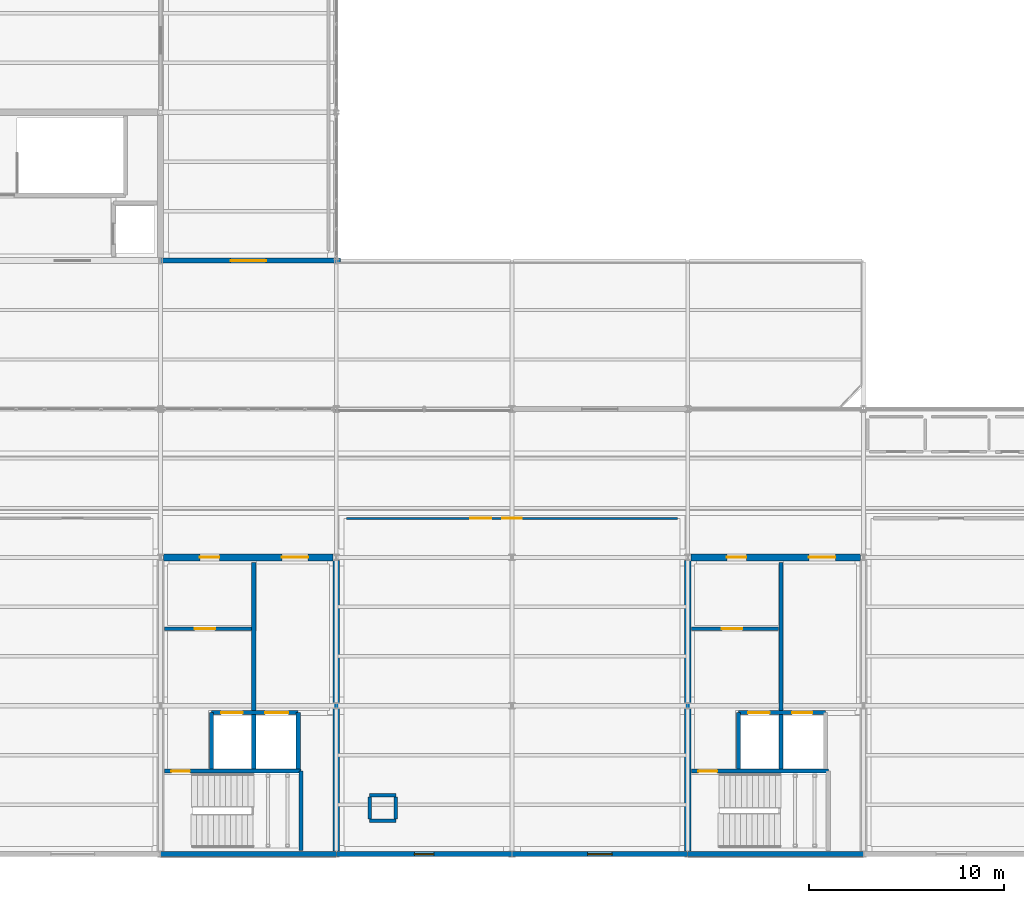
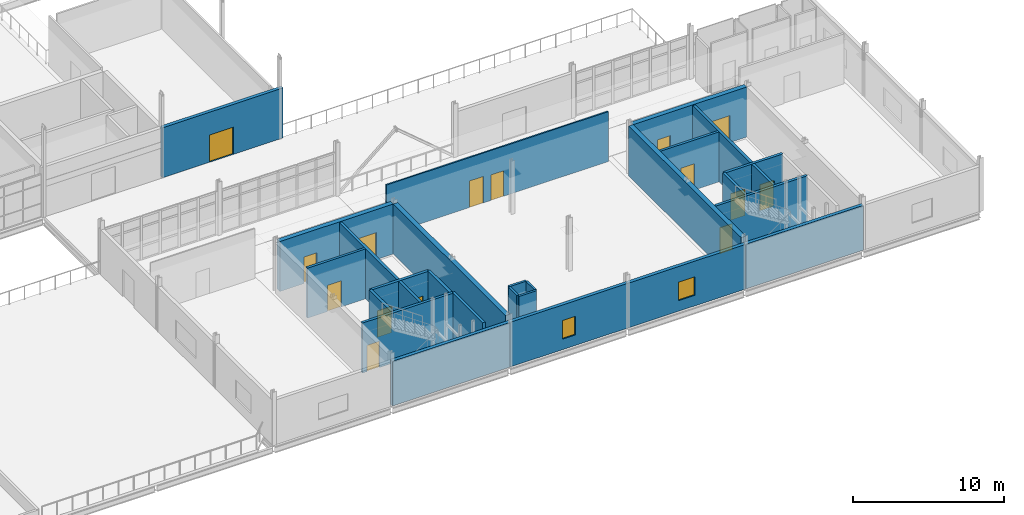
# One storey, part 152 of 166: 26 walls, 15 doors, 2 windows, 17 openings.
"""IFC4 building model written with IfcOpenShell, lengths in metres."""

from ifc_helpers import new_model, si_unit, direction, frame, frame_2d, origin, place, context, subcontext, project, spatial, rectangle, extrude, material, layer, layer_set, type_object, element, fill, save


model = new_model("IFC4")

# Units and contexts
model_context = context("Model", 3, precision=1e-05, world=origin(), true_north=direction((0.0, 1.0)))
body_context = subcontext(model_context, "Body", "Model", "MODEL_VIEW")
ifc_project = project(units=[si_unit("LENGTHUNIT", "METRE"), si_unit("AREAUNIT", "SQUARE_METRE"), si_unit("VOLUMEUNIT", "CUBIC_METRE"), si_unit("PLANEANGLEUNIT", "RADIAN"), si_unit("MASSUNIT", "GRAM", prefix="KILO")], contexts=[model_context])

# Site, building, storey
site_placement = place(None, origin())
site = spatial("IfcSite", under=ifc_project, at=site_placement, CompositionType="ELEMENT")
building_placement = place(site_placement, origin())
building = spatial("IfcBuilding", under=site, at=building_placement, Name="Caisbarro Railhouse Central Library", CompositionType="ELEMENT")
storey_placement = place(building_placement, frame((0.0, 0.0, 9.360107421875)))
storey = spatial("IfcBuildingStorey", under=building, at=storey_placement, Name="L02", CompositionType="ELEMENT", Elevation=9.360107421875)

# Wall, openings, doors
ifc_material_1 = material(Name="Concrete C40", Category="concrete")
ifc_layer_1 = layer(ifc_material_1, 0.35009765625, Name="Concrete C40")
ifc_layer_set_1 = layer_set([ifc_layer_1], Name="Concrete C40")
wall_type_1 = type_object("IfcWallType", Name="WAL-CW35", PredefinedType="SHEAR", material=ifc_layer_set_1)
wall_1_placement = place(storey_placement, frame((63.159912109375, 15.199951171875, 0.0), z_axis=(0.0, 0.0, 1.0), x_axis=(1.0, 0.0, 0.0)))
wall_1 = element("IfcWall", 1, at=wall_1_placement, inside=storey, type_object=wall_type_1, Name="CW35 RC core shear wall L02 #10", PredefinedType="SHEAR", context=body_context, shape_type="SweptSolid", body=[
    extrude(rectangle(XDim=8.68017578125, YDim=0.35009765625, at=frame_2d((4.340087890625, 0.0))), origin(), (0.0, 0.0, 1.0), 4.039794921875),
])
opening_1_placement = place(wall_1_placement, frame((1.85009765625, 0.0, 0.0)))
opening_1 = element("IfcOpeningElement", 2, at=opening_1_placement, cuts=wall_1, Name="Opening FD05", PredefinedType="OPENING", context=body_context, shape_type="SweptSolid", body=[
    extrude(rectangle(XDim=1.0, YDim=2.14990234375, at=frame_2d((0.5, 1.074951171875))), frame((0.0, 0.18505859375, 0.0), z_axis=(0.0, -1.0, 0.0), x_axis=(1.0, 0.0, 0.0)), (0.0, 0.0, 1.0), 0.3701171875),
])
opening_2_placement = place(wall_1_placement, frame((6.050048828125, 0.0, 0.0)))
opening_2 = element("IfcOpeningElement", 3, at=opening_2_placement, cuts=wall_1, Name="Opening FD06", PredefinedType="OPENING", context=body_context, shape_type="SweptSolid", body=[
    extrude(rectangle(XDim=1.35009765625, YDim=2.179931640625, at=frame_2d((0.675048828125, 1.08984375))), frame((0.0, 0.18505859375, 0.0), z_axis=(0.0, -1.0, 0.0), x_axis=(1.0, 0.0, 0.0)), (0.0, 0.0, 1.0), 0.3701171875),
])
ifc_material_2 = material(Name="Fire-rated painted galvanised steel", Category="steel")
door_type_1 = type_object("IfcDoorType", Name="DR-FD05", OperationType="NOTDEFINED", PredefinedType="DOOR", material=ifc_material_2)
door_1_placement = place(opening_1_placement, origin())
door_1 = element("IfcDoor", 4, at=door_1_placement, inside=storey, type_object=door_type_1, Name="Core K1 Vestibule Door FD05 L02-023", OperationType="SINGLE_SWING_LEFT", OverallHeight=2.14990234375, OverallWidth=1.0, PredefinedType="DOOR", context=body_context, shape_type="SweptSolid", body=[
    extrude(rectangle(XDim=1.0, YDim=2.14990234375, at=frame_2d((0.5, 1.074951171875))), frame((0.0, 0.02490234375, 0.0), z_axis=(0.0, -1.0, 0.0), x_axis=(1.0, 0.0, 0.0)), (0.0, 0.0, 1.0), 0.050048828125),
])
fill(opening_1, door_1)
door_type_2 = type_object("IfcDoorType", Name="DR-FD06", OperationType="NOTDEFINED", PredefinedType="DOOR", material=ifc_material_2)
door_2_placement = place(opening_2_placement, origin())
door_2 = element("IfcDoor", 5, at=door_2_placement, inside=storey, type_object=door_type_2, Name="Core K1 Lift Lobby Door FD06 L02-024", OperationType="SINGLE_SWING_RIGHT", OverallHeight=2.179931640625, OverallWidth=1.35009765625, PredefinedType="DOOR", context=body_context, shape_type="SweptSolid", body=[
    extrude(rectangle(XDim=1.35009765625, YDim=2.179931640625, at=frame_2d((0.675048828125, 1.08984375))), frame((0.0, 0.02490234375, 0.0), z_axis=(0.0, -1.0, 0.0), x_axis=(1.0, 0.0, 0.0)), (0.0, 0.0, 1.0), 0.050048828125),
])
fill(opening_2, door_2)

# Wall
wall_2_placement = place(storey_placement, frame((72.0, 0.159912109375, 0.0), z_axis=(0.0, 0.0, 1.0), x_axis=(0.0, 1.0, 0.0)))
element("IfcWall", 6, at=wall_2_placement, inside=storey, type_object=wall_type_1, Name="CW35 RC core shear wall L02 #12", PredefinedType="SHEAR", context=body_context, shape_type="SweptSolid", body=[
    extrude(rectangle(XDim=14.880126953125, YDim=0.35009765625, at=frame_2d((7.43994140625, 0.0))), origin(), (0.0, 0.0, 1.0), 4.039794921875),
])

# Wall, openings, doors
wall_3_placement = place(storey_placement, frame((90.159912109375, 15.199951171875, 0.0), z_axis=(0.0, 0.0, 1.0), x_axis=(1.0, 0.0, 0.0)))
wall_3 = element("IfcWall", 7, at=wall_3_placement, inside=storey, type_object=wall_type_1, Name="CW35 RC core shear wall L02 #29", PredefinedType="SHEAR", context=body_context, shape_type="SweptSolid", body=[
    extrude(rectangle(XDim=8.68017578125, YDim=0.35009765625, at=frame_2d((4.340087890625, 0.0))), origin(), (0.0, 0.0, 1.0), 4.039794921875),
])
opening_3_placement = place(wall_3_placement, frame((1.85009765625, 0.0, 0.0)))
opening_3 = element("IfcOpeningElement", 8, at=opening_3_placement, cuts=wall_3, Name="Opening FD05", PredefinedType="OPENING", context=body_context, shape_type="SweptSolid", body=[
    extrude(rectangle(XDim=1.0, YDim=2.14990234375, at=frame_2d((0.5, 1.074951171875))), frame((0.0, 0.18505859375, 0.0), z_axis=(0.0, -1.0, 0.0), x_axis=(1.0, 0.0, 0.0)), (0.0, 0.0, 1.0), 0.3701171875),
])
opening_4_placement = place(wall_3_placement, frame((6.050048828125, 0.0, 0.0)))
opening_4 = element("IfcOpeningElement", 9, at=opening_4_placement, cuts=wall_3, Name="Opening FD06", PredefinedType="OPENING", context=body_context, shape_type="SweptSolid", body=[
    extrude(rectangle(XDim=1.35009765625, YDim=2.179931640625, at=frame_2d((0.675048828125, 1.08984375))), frame((0.0, 0.18505859375, 0.0), z_axis=(0.0, -1.0, 0.0), x_axis=(1.0, 0.0, 0.0)), (0.0, 0.0, 1.0), 0.3701171875),
])
door_3_placement = place(opening_3_placement, origin())
door_3 = element("IfcDoor", 10, at=door_3_placement, inside=storey, type_object=door_type_1, Name="Core K2 Vestibule Door FD05 L02-065", OperationType="SINGLE_SWING_LEFT", OverallHeight=2.14990234375, OverallWidth=1.0, PredefinedType="DOOR", context=body_context, shape_type="SweptSolid", body=[
    extrude(rectangle(XDim=1.0, YDim=2.14990234375, at=frame_2d((0.5, 1.074951171875))), frame((0.0, 0.02490234375, 0.0), z_axis=(0.0, -1.0, 0.0), x_axis=(1.0, 0.0, 0.0)), (0.0, 0.0, 1.0), 0.050048828125),
])
fill(opening_3, door_3)
door_4_placement = place(opening_4_placement, origin())
door_4 = element("IfcDoor", 11, at=door_4_placement, inside=storey, type_object=door_type_2, Name="Core K2 Lift Lobby Door FD06 L02-066", OperationType="SINGLE_SWING_RIGHT", OverallHeight=2.179931640625, OverallWidth=1.35009765625, PredefinedType="DOOR", context=body_context, shape_type="SweptSolid", body=[
    extrude(rectangle(XDim=1.35009765625, YDim=2.179931640625, at=frame_2d((0.675048828125, 1.08984375))), frame((0.0, 0.02490234375, 0.0), z_axis=(0.0, -1.0, 0.0), x_axis=(1.0, 0.0, 0.0)), (0.0, 0.0, 1.0), 0.050048828125),
])
fill(opening_4, door_4)

# Wall
wall_4_placement = place(storey_placement, frame((90.0, 0.159912109375, 0.0), z_axis=(0.0, 0.0, 1.0), x_axis=(0.0, 1.0, 0.0)))
element("IfcWall", 12, at=wall_4_placement, inside=storey, type_object=wall_type_1, Name="CW35 RC core shear wall L02 #30", PredefinedType="SHEAR", context=body_context, shape_type="SweptSolid", body=[
    extrude(rectangle(XDim=14.880126953125, YDim=0.35009765625, at=frame_2d((7.43994140625, 0.0))), origin(), (0.0, 0.0, 1.0), 4.039794921875),
])

# Wall, opening, door
ifc_material_3 = material(Name="Concrete C35 insulated architectural precast", Category="concrete")
ifc_layer_2 = layer(ifc_material_3, 0.260009765625, Name="Concrete C35 insulated architectural precast")
ifc_layer_set_2 = layer_set([ifc_layer_2], Name="Concrete C35 insulated architectural precast")
wall_type_2 = type_object("IfcWallType", Name="WAL-EW26", PredefinedType="STANDARD", material=ifc_layer_set_2)
wall_5_placement = place(storey_placement, frame((63.0, 30.39990234375, 0.0), z_axis=(0.0, 0.0, 1.0), x_axis=(1.0, 0.0, 0.0)))
wall_5 = element("IfcWall", 13, at=wall_5_placement, inside=storey, type_object=wall_type_2, Name="EW26 exterior wall L02 #36", PredefinedType="STANDARD", context=body_context, shape_type="SweptSolid", body=[
    extrude(rectangle(XDim=9.2099609375, YDim=0.260009765625, at=frame_2d((4.60498046875, 0.0))), origin(), (0.0, 0.0, 1.0), 4.039794921875),
])
opening_5_placement = place(wall_5_placement, frame((3.590087890625, 0.0, 0.0)))
opening_5 = element("IfcOpeningElement", 14, at=opening_5_placement, cuts=wall_5, Name="Opening TD01", PredefinedType="OPENING", context=body_context, shape_type="SweptSolid", body=[
    extrude(rectangle(XDim=1.820068359375, YDim=2.199951171875, at=frame_2d((0.91015625, 1.10009765625))), frame((0.0, 0.14013671875, 0.0), z_axis=(0.0, -1.0, 0.0), x_axis=(1.0, 0.0, 0.0)), (0.0, 0.0, 1.0), 0.280029296875),
])
ifc_material_4 = material(Name="Thermally broken anodised aluminium and safety glass", Category="aluminium")
door_type_3 = type_object("IfcDoorType", Name="DR-TD01", OperationType="NOTDEFINED", PredefinedType="DOOR", material=ifc_material_4)
door_5_placement = place(opening_5_placement, frame((1.820068359375, 0.0, 0.0), z_axis=(0.0, 0.0, 1.0), x_axis=(-1.0, 0.0, 0.0)))
door_5 = element("IfcDoor", 15, at=door_5_placement, inside=storey, type_object=door_type_3, Name="Terrace Door TD01 L02-09", OperationType="SINGLE_SWING_LEFT", OverallHeight=2.199951171875, OverallWidth=1.820068359375, PredefinedType="DOOR", context=body_context, shape_type="SweptSolid", body=[
    extrude(rectangle(XDim=1.820068359375, YDim=2.199951171875, at=frame_2d((0.91015625, 1.10009765625))), frame((0.0, 0.02490234375, 0.0), z_axis=(0.0, -1.0, 0.0), x_axis=(1.0, 0.0, 0.0)), (0.0, 0.0, 1.0), 0.050048828125),
])
fill(opening_5, door_5)

# Wall
wall_6_placement = place(storey_placement, frame((63.0, 0.0, 0.0), z_axis=(0.0, 0.0, 1.0), x_axis=(1.0, 0.0, 0.0)))
element("IfcWall", 16, at=wall_6_placement, inside=storey, type_object=wall_type_2, Name="EW26 exterior wall L02 #93", PredefinedType="STANDARD", context=body_context, shape_type="SweptSolid", body=[
    extrude(rectangle(XDim=9.0, YDim=0.260009765625, at=frame_2d((4.5, 0.0))), origin(), (0.0, 0.0, 1.0), 3.61083984375),
])

# Wall, opening, window
wall_7_placement = place(storey_placement, frame((72.0, 0.0, 0.0), z_axis=(0.0, 0.0, 1.0), x_axis=(1.0, 0.0, 0.0)))
wall_7 = element("IfcWall", 17, at=wall_7_placement, inside=storey, type_object=wall_type_2, Name="EW26 exterior wall L02 #94", PredefinedType="STANDARD", context=body_context, shape_type="SweptSolid", body=[
    extrude(rectangle(XDim=9.0, YDim=0.260009765625, at=frame_2d((4.5, 0.0))), origin(), (0.0, 0.0, 1.0), 3.61083984375),
])
opening_6_placement = place(wall_7_placement, frame((4.0, 0.0, 0.85009765625)))
opening_6 = element("IfcOpeningElement", 18, at=opening_6_placement, cuts=wall_7, Name="Opening W19", PredefinedType="OPENING", context=body_context, shape_type="SweptSolid", body=[
    extrude(rectangle(XDim=1.0, YDim=1.5, at=frame_2d((0.5, 0.75))), frame((0.0, 0.14013671875, 0.0), z_axis=(0.0, -1.0, 0.0), x_axis=(1.0, 0.0, 0.0)), (0.0, 0.0, 1.0), 0.280029296875),
])
ifc_material_5 = material(Name="Double low-e laminated solar-control glass", Category="glass")
window_type_1 = type_object("IfcWindowType", Name="WIN-W19", PartitioningType="SINGLE_PANEL", PredefinedType="WINDOW", material=ifc_material_5)
window_1_placement = place(opening_6_placement, origin())
window_1 = element("IfcWindow", 19, at=window_1_placement, inside=storey, type_object=window_type_1, Name="W19 window L02-019", OverallHeight=1.5, OverallWidth=1.0, PartitioningType="SINGLE_PANEL", PredefinedType="WINDOW", context=body_context, shape_type="SweptSolid", body=[
    extrude(rectangle(XDim=1.0, YDim=1.5, at=frame_2d((0.5, 0.75))), frame((0.0, 0.030029296875, 0.0), z_axis=(0.0, -1.0, 0.0), x_axis=(1.0, 0.0, 0.0)), (0.0, 0.0, 1.0), 0.06005859375),
])
fill(opening_6, window_1)

wall_8_placement = place(storey_placement, frame((81.0, 0.0, 0.0), z_axis=(0.0, 0.0, 1.0), x_axis=(1.0, 0.0, 0.0)))
wall_8 = element("IfcWall", 20, at=wall_8_placement, inside=storey, type_object=wall_type_2, Name="EW26 exterior wall L02 #95", PredefinedType="STANDARD", context=body_context, shape_type="SweptSolid", body=[
    extrude(rectangle(XDim=9.0, YDim=0.260009765625, at=frame_2d((4.5, 0.0))), origin(), (0.0, 0.0, 1.0), 3.61083984375),
])
opening_7_placement = place(wall_8_placement, frame((3.875, 0.0, 0.85009765625)))
opening_7 = element("IfcOpeningElement", 21, at=opening_7_placement, cuts=wall_8, Name="Opening W20", PredefinedType="OPENING", context=body_context, shape_type="SweptSolid", body=[
    extrude(rectangle(XDim=1.25, YDim=1.5, at=frame_2d((0.625, 0.75))), frame((0.0, 0.14013671875, 0.0), z_axis=(0.0, -1.0, 0.0), x_axis=(1.0, 0.0, 0.0)), (0.0, 0.0, 1.0), 0.280029296875),
])
window_type_2 = type_object("IfcWindowType", Name="WIN-W20", PartitioningType="SINGLE_PANEL", PredefinedType="WINDOW", material=ifc_material_5)
window_2_placement = place(opening_7_placement, origin())
window_2 = element("IfcWindow", 22, at=window_2_placement, inside=storey, type_object=window_type_2, Name="W20 window L02-020", OverallHeight=1.5, OverallWidth=1.25, PartitioningType="SINGLE_PANEL", PredefinedType="WINDOW", context=body_context, shape_type="SweptSolid", body=[
    extrude(rectangle(XDim=1.25, YDim=1.5, at=frame_2d((0.625, 0.75))), frame((0.0, 0.030029296875, 0.0), z_axis=(0.0, -1.0, 0.0), x_axis=(1.0, 0.0, 0.0)), (0.0, 0.0, 1.0), 0.06005859375),
])
fill(opening_7, window_2)

# Wall
wall_9_placement = place(storey_placement, frame((90.0, 0.0, 0.0), z_axis=(0.0, 0.0, 1.0), x_axis=(1.0, 0.0, 0.0)))
element("IfcWall", 23, at=wall_9_placement, inside=storey, type_object=wall_type_2, Name="EW26 exterior wall L02 #97", PredefinedType="STANDARD", context=body_context, shape_type="SweptSolid", body=[
    extrude(rectangle(XDim=9.0, YDim=0.260009765625, at=frame_2d((4.5, 0.0))), origin(), (0.0, 0.0, 1.0), 3.61083984375),
])

# Wall, openings, doors
ifc_material_6 = material(Name="Acoustic gypsum board on galvanised steel studs", Category="steel")
ifc_layer_3 = layer(ifc_material_6, 0.110107421875, Name="Acoustic gypsum board on galvanised steel studs")
ifc_layer_set_3 = layer_set([ifc_layer_3], Name="Acoustic gypsum board on galvanised steel studs")
wall_type_3 = type_object("IfcWallType", Name="WAL-IW11", PredefinedType="PARTITIONING", material=ifc_layer_set_3)
wall_10_placement = place(storey_placement, frame((72.52001953125, 17.199951171875, 0.0), z_axis=(0.0, 0.0, 1.0), x_axis=(1.0, 0.0, 0.0)))
wall_10 = element("IfcWall", 24, at=wall_10_placement, inside=storey, type_object=wall_type_3, Name="IW11 partition wall L02 #478", PredefinedType="PARTITIONING", context=body_context, shape_type="SweptSolid", body=[
    extrude(rectangle(XDim=16.9599609375, YDim=0.110107421875, at=frame_2d((8.47998046875, 0.0))), origin(), (0.0, 0.0, 1.0), 4.039794921875),
])
opening_8_placement = place(wall_10_placement, frame((7.989990234375, 0.0, 0.0)))
opening_8 = element("IfcOpeningElement", 25, at=opening_8_placement, cuts=wall_10, Name="Opening ID04", PredefinedType="OPENING", context=body_context, shape_type="SweptSolid", body=[
    extrude(rectangle(XDim=0.97998046875, YDim=2.06005859375, at=frame_2d((0.489990234375, 1.030029296875))), frame((0.0, 0.06494140625, 0.0), z_axis=(0.0, -1.0, 0.0), x_axis=(1.0, 0.0, 0.0)), (0.0, 0.0, 1.0), 0.130126953125),
])
opening_9_placement = place(wall_10_placement, frame((6.344970703125, 0.0, 0.0)))
opening_9 = element("IfcOpeningElement", 26, at=opening_9_placement, cuts=wall_10, Name="Opening ID28", PredefinedType="OPENING", context=body_context, shape_type="SweptSolid", body=[
    extrude(rectangle(XDim=1.070068359375, YDim=2.14990234375, at=frame_2d((0.53515625, 1.074951171875))), frame((0.0, 0.06494140625, 0.0), z_axis=(0.0, -1.0, 0.0), x_axis=(1.0, 0.0, 0.0)), (0.0, 0.0, 1.0), 0.130126953125),
])
ifc_material_7 = material(Name="Solid-core tropical hardwood veneer", Category="wood")
door_type_4 = type_object("IfcDoorType", Name="DR-ID04", OperationType="NOTDEFINED", PredefinedType="DOOR", material=ifc_material_7)
door_6_placement = place(opening_8_placement, origin())
door_6 = element("IfcDoor", 27, at=door_6_placement, inside=storey, type_object=door_type_4, Name="Science and Technology Open Stacks Door ID04 L02-279", OperationType="SINGLE_SWING_LEFT", OverallHeight=2.06005859375, OverallWidth=0.97998046875, PredefinedType="DOOR", context=body_context, shape_type="SweptSolid", body=[
    extrude(rectangle(XDim=0.97998046875, YDim=2.06005859375, at=frame_2d((0.489990234375, 1.030029296875))), frame((0.0, 0.02490234375, 0.0), z_axis=(0.0, -1.0, 0.0), x_axis=(1.0, 0.0, 0.0)), (0.0, 0.0, 1.0), 0.050048828125),
])
fill(opening_8, door_6)
door_type_5 = type_object("IfcDoorType", Name="DR-ID28", OperationType="NOTDEFINED", PredefinedType="DOOR", material=ifc_material_7)
door_7_placement = place(opening_9_placement, origin())
door_7 = element("IfcDoor", 28, at=door_7_placement, inside=storey, type_object=door_type_5, Name="Science Stacks Corridor L02 Door ID28 L02-302", OperationType="SINGLE_SWING_RIGHT", OverallHeight=2.14990234375, OverallWidth=1.070068359375, PredefinedType="DOOR", context=body_context, shape_type="SweptSolid", body=[
    extrude(rectangle(XDim=1.070068359375, YDim=2.14990234375, at=frame_2d((0.53515625, 1.074951171875))), frame((0.0, 0.02490234375, 0.0), z_axis=(0.0, -1.0, 0.0), x_axis=(1.0, 0.0, 0.0)), (0.0, 0.0, 1.0), 0.050048828125),
])
fill(opening_9, door_7)

# Walls
ifc_material_8 = material(Name="Plastered cellular concrete masonry", Category="masonry")
ifc_layer_4 = layer(ifc_material_8, 0.169921875, Name="Plastered cellular concrete masonry")
ifc_layer_set_4 = layer_set([ifc_layer_4], Name="Plastered cellular concrete masonry")
wall_type_4 = type_object("IfcWallType", Name="WAL-IW17", PredefinedType="PARTITIONING", material=ifc_layer_set_4)
wall_11_placement = place(storey_placement, frame((73.7099609375, 1.7099609375, 0.0), z_axis=(0.0, 0.0, 1.0), x_axis=(1.0, 0.0, 0.0)))
element("IfcWall", 29, at=wall_11_placement, inside=storey, type_object=wall_type_4, Name="IW17 partition wall L02 #219", PredefinedType="PARTITIONING", context=body_context, shape_type="SweptSolid", body=[
    extrude(rectangle(XDim=1.340087890625, YDim=0.169921875, at=frame_2d((0.669921875, 0.0))), origin(), (0.0, 0.0, 1.0), 4.039794921875),
])
wall_12_placement = place(storey_placement, frame((75.050048828125, 1.800048828125, 0.0), z_axis=(0.0, 0.0, 1.0), x_axis=(0.0, 1.0, 0.0)))
element("IfcWall", 30, at=wall_12_placement, inside=storey, type_object=wall_type_4, Name="IW17 partition wall L02 #220", PredefinedType="PARTITIONING", context=body_context, shape_type="SweptSolid", body=[
    extrude(rectangle(XDim=1.119873046875, YDim=0.169921875, at=frame_2d((0.56005859375, 0.0))), origin(), (0.0, 0.0, 1.0), 4.039794921875),
])
wall_13_placement = place(storey_placement, frame((75.050048828125, 3.010009765625, 0.0), z_axis=(0.0, 0.0, 1.0), x_axis=(-1.0, 0.0, 0.0)))
element("IfcWall", 31, at=wall_13_placement, inside=storey, type_object=wall_type_4, Name="IW17 partition wall L02 #221", PredefinedType="PARTITIONING", context=body_context, shape_type="SweptSolid", body=[
    extrude(rectangle(XDim=1.340087890625, YDim=0.169921875, at=frame_2d((0.669921875, 0.0))), origin(), (0.0, 0.0, 1.0), 4.039794921875),
])
wall_14_placement = place(storey_placement, frame((73.7099609375, 2.919921875, 0.0), z_axis=(0.0, 0.0, 1.0), x_axis=(0.0, -1.0, 0.0)))
element("IfcWall", 32, at=wall_14_placement, inside=storey, type_object=wall_type_4, Name="IW17 partition wall L02 #222", PredefinedType="PARTITIONING", context=body_context, shape_type="SweptSolid", body=[
    extrude(rectangle(XDim=1.119873046875, YDim=0.169921875, at=frame_2d((0.56005859375, 0.0))), origin(), (0.0, 0.0, 1.0), 4.039794921875),
])

# Wall, opening, door
ifc_layer_5 = layer(ifc_material_8, 0.18994140625, Name="Plastered cellular concrete masonry")
ifc_layer_set_5 = layer_set([ifc_layer_5], Name="Plastered cellular concrete masonry")
wall_type_5 = type_object("IfcWallType", Name="WAL-SW19", PredefinedType="SOLIDWALL", material=ifc_layer_set_5)
wall_15_placement = place(storey_placement, frame((63.199951171875, 11.550048828125, 0.0), z_axis=(0.0, 0.0, 1.0), x_axis=(1.0, 0.0, 0.0)))
wall_15 = element("IfcWall", 33, at=wall_15_placement, inside=storey, type_object=wall_type_5, Name="SW19 partition wall L02 #28", PredefinedType="SOLIDWALL", context=body_context, shape_type="SweptSolid", body=[
    extrude(rectangle(XDim=4.449951171875, YDim=0.18994140625, at=frame_2d((2.22509765625, 0.0))), origin(), (0.0, 0.0, 1.0), 4.039794921875),
])
opening_10_placement = place(wall_15_placement, frame((1.550048828125, 0.0, 0.0)))
opening_10 = element("IfcOpeningElement", 34, at=opening_10_placement, cuts=wall_15, Name="Opening FD02", PredefinedType="OPENING", context=body_context, shape_type="SweptSolid", body=[
    extrude(rectangle(XDim=1.050048828125, YDim=2.1201171875, at=frame_2d((0.52490234375, 1.06005859375))), frame((0.0, 0.10498046875, 0.0), z_axis=(0.0, -1.0, 0.0), x_axis=(1.0, 0.0, 0.0)), (0.0, 0.0, 1.0), 0.2099609375),
])
door_type_6 = type_object("IfcDoorType", Name="DR-FD02", OperationType="NOTDEFINED", PredefinedType="DOOR", material=ifc_material_2)
door_8_placement = place(opening_10_placement, origin())
door_8 = element("IfcDoor", 35, at=door_8_placement, inside=storey, type_object=door_type_6, Name="Firefighting Lobby K1 Door FD02 L02-022", OperationType="SINGLE_SWING_RIGHT", OverallHeight=2.1201171875, OverallWidth=1.050048828125, PredefinedType="DOOR", context=body_context, shape_type="SweptSolid", body=[
    extrude(rectangle(XDim=1.050048828125, YDim=2.1201171875, at=frame_2d((0.52490234375, 1.06005859375))), frame((0.0, 0.02490234375, 0.0), z_axis=(0.0, -1.0, 0.0), x_axis=(1.0, 0.0, 0.0)), (0.0, 0.0, 1.0), 0.050048828125),
])
fill(opening_10, door_8)

wall_16_placement = place(storey_placement, frame((90.199951171875, 11.550048828125, 0.0), z_axis=(0.0, 0.0, 1.0), x_axis=(1.0, 0.0, 0.0)))
wall_16 = element("IfcWall", 36, at=wall_16_placement, inside=storey, type_object=wall_type_5, Name="SW19 partition wall L02 #77", PredefinedType="SOLIDWALL", context=body_context, shape_type="SweptSolid", body=[
    extrude(rectangle(XDim=4.449951171875, YDim=0.18994140625, at=frame_2d((2.22509765625, 0.0))), origin(), (0.0, 0.0, 1.0), 4.039794921875),
])
opening_11_placement = place(wall_16_placement, frame((1.550048828125, 0.0, 0.0)))
opening_11 = element("IfcOpeningElement", 37, at=opening_11_placement, cuts=wall_16, Name="Opening FD02", PredefinedType="OPENING", context=body_context, shape_type="SweptSolid", body=[
    extrude(rectangle(XDim=1.050048828125, YDim=2.1201171875, at=frame_2d((0.52490234375, 1.06005859375))), frame((0.0, 0.10498046875, 0.0), z_axis=(0.0, -1.0, 0.0), x_axis=(1.0, 0.0, 0.0)), (0.0, 0.0, 1.0), 0.2099609375),
])
door_9_placement = place(opening_11_placement, origin())
door_9 = element("IfcDoor", 38, at=door_9_placement, inside=storey, type_object=door_type_6, Name="Firefighting Lobby K2 Door FD02 L02-064", OperationType="SINGLE_SWING_RIGHT", OverallHeight=2.1201171875, OverallWidth=1.050048828125, PredefinedType="DOOR", context=body_context, shape_type="SweptSolid", body=[
    extrude(rectangle(XDim=1.050048828125, YDim=2.1201171875, at=frame_2d((0.52490234375, 1.06005859375))), frame((0.0, 0.02490234375, 0.0), z_axis=(0.0, -1.0, 0.0), x_axis=(1.0, 0.0, 0.0)), (0.0, 0.0, 1.0), 0.050048828125),
])
fill(opening_11, door_9)

ifc_layer_6 = layer(ifc_material_1, 0.2099609375, Name="Concrete C40")
ifc_layer_set_6 = layer_set([ifc_layer_6], Name="Concrete C40")
wall_type_6 = type_object("IfcWallType", Name="WAL-SW21", PredefinedType="SOLIDWALL", material=ifc_layer_set_6)
wall_17_placement = place(storey_placement, frame((63.199951171875, 4.25, 0.0), z_axis=(0.0, 0.0, 1.0), x_axis=(1.0, 0.0, 0.0)))
wall_17 = element("IfcWall", 39, at=wall_17_placement, inside=storey, type_object=wall_type_6, Name="SW21 core shaft wall L02 #22", PredefinedType="SOLIDWALL", context=body_context, shape_type="SweptSolid", body=[
    extrude(rectangle(XDim=7.0, YDim=0.2099609375, at=frame_2d((3.5, 0.0))), origin(), (0.0, 0.0, 1.0), 4.039794921875),
])
opening_12_placement = place(wall_17_placement, frame((0.35009765625, 0.0, 0.0)))
opening_12 = element("IfcOpeningElement", 40, at=opening_12_placement, cuts=wall_17, Name="Opening FD01", PredefinedType="OPENING", context=body_context, shape_type="SweptSolid", body=[
    extrude(rectangle(XDim=0.949951171875, YDim=2.1201171875, at=frame_2d((0.47509765625, 1.06005859375))), frame((0.0, 0.114990234375, 0.0), z_axis=(0.0, -1.0, 0.0), x_axis=(1.0, 0.0, 0.0)), (0.0, 0.0, 1.0), 0.22998046875),
])
door_type_7 = type_object("IfcDoorType", Name="DR-FD01", OperationType="NOTDEFINED", PredefinedType="DOOR", material=ifc_material_2)
door_10_placement = place(opening_12_placement, origin())
door_10 = element("IfcDoor", 41, at=door_10_placement, inside=storey, type_object=door_type_7, Name="Stair ST-01 Fire Door FD01 L02-019", OperationType="SINGLE_SWING_LEFT", OverallHeight=2.1201171875, OverallWidth=0.949951171875, PredefinedType="DOOR", context=body_context, shape_type="SweptSolid", body=[
    extrude(rectangle(XDim=0.949951171875, YDim=2.1201171875, at=frame_2d((0.47509765625, 1.06005859375))), frame((0.0, 0.02490234375, 0.0), z_axis=(0.0, -1.0, 0.0), x_axis=(1.0, 0.0, 0.0)), (0.0, 0.0, 1.0), 0.050048828125),
])
fill(opening_12, door_10)

# Walls
wall_18_placement = place(storey_placement, frame((70.199951171875, 0.199951171875, 0.0), z_axis=(0.0, 0.0, 1.0), x_axis=(0.0, 1.0, 0.0)))
element("IfcWall", 42, at=wall_18_placement, inside=storey, type_object=wall_type_6, Name="SW21 core shaft wall L02 #23", PredefinedType="SOLIDWALL", context=body_context, shape_type="SweptSolid", body=[
    extrude(rectangle(XDim=4.050048828125, YDim=0.2099609375, at=frame_2d((2.02490234375, 0.0))), origin(), (0.0, 0.0, 1.0), 4.039794921875),
])
wall_19_placement = place(storey_placement, frame((65.60009765625, 4.35009765625, 0.0), z_axis=(0.0, 0.0, 1.0), x_axis=(0.0, 1.0, 0.0)))
element("IfcWall", 43, at=wall_19_placement, inside=storey, type_object=wall_type_6, Name="SW21 core shaft wall L02 #24", PredefinedType="SOLIDWALL", context=body_context, shape_type="SweptSolid", body=[
    extrude(rectangle(XDim=2.89990234375, YDim=0.2099609375, at=frame_2d((1.449951171875, 0.0))), origin(), (0.0, 0.0, 1.0), 4.039794921875),
])
wall_20_placement = place(storey_placement, frame((67.77001953125, 4.35009765625, 0.0), z_axis=(0.0, 0.0, 1.0), x_axis=(0.0, 1.0, 0.0)))
element("IfcWall", 44, at=wall_20_placement, inside=storey, type_object=wall_type_6, Name="SW21 core shaft wall L02 #25", PredefinedType="SOLIDWALL", context=body_context, shape_type="SweptSolid", body=[
    extrude(rectangle(XDim=10.599853515625, YDim=0.2099609375, at=frame_2d((5.2998046875, 0.0))), origin(), (0.0, 0.0, 1.0), 4.039794921875),
])
wall_21_placement = place(storey_placement, frame((70.050048828125, 4.35009765625, 0.0), z_axis=(0.0, 0.0, 1.0), x_axis=(0.0, 1.0, 0.0)))
element("IfcWall", 45, at=wall_21_placement, inside=storey, type_object=wall_type_6, Name="SW21 core shaft wall L02 #26", PredefinedType="SOLIDWALL", context=body_context, shape_type="SweptSolid", body=[
    extrude(rectangle(XDim=2.89990234375, YDim=0.2099609375, at=frame_2d((1.449951171875, 0.0))), origin(), (0.0, 0.0, 1.0), 4.039794921875),
])

# Wall, openings, doors
wall_22_placement = place(storey_placement, frame((65.60009765625, 7.25, 0.0), z_axis=(0.0, 0.0, 1.0), x_axis=(1.0, 0.0, 0.0)))
wall_22 = element("IfcWall", 46, at=wall_22_placement, inside=storey, type_object=wall_type_6, Name="SW21 core shaft wall L02 #27", PredefinedType="SOLIDWALL", context=body_context, shape_type="SweptSolid", body=[
    extrude(rectangle(XDim=4.449951171875, YDim=0.2099609375, at=frame_2d((2.22509765625, 0.0))), origin(), (0.0, 0.0, 1.0), 4.039794921875),
])
opening_13_placement = place(wall_22_placement, frame((0.5, 0.0, 0.0)))
opening_13 = element("IfcOpeningElement", 47, at=opening_13_placement, cuts=wall_22, Name="Opening LD01", PredefinedType="OPENING", context=body_context, shape_type="SweptSolid", body=[
    extrude(rectangle(XDim=1.10009765625, YDim=2.139892578125, at=frame_2d((0.550048828125, 1.06982421875))), frame((0.0, 0.114990234375, 0.0), z_axis=(0.0, -1.0, 0.0), x_axis=(1.0, 0.0, 0.0)), (0.0, 0.0, 1.0), 0.22998046875),
])
opening_14_placement = place(wall_22_placement, frame((2.75, 0.0, 0.0)))
opening_14 = element("IfcOpeningElement", 48, at=opening_14_placement, cuts=wall_22, Name="Opening LD03", PredefinedType="OPENING", context=body_context, shape_type="SweptSolid", body=[
    extrude(rectangle(XDim=1.199951171875, YDim=2.179931640625, at=frame_2d((0.60009765625, 1.08984375))), frame((0.0, 0.114990234375, 0.0), z_axis=(0.0, -1.0, 0.0), x_axis=(1.0, 0.0, 0.0)), (0.0, 0.0, 1.0), 0.22998046875),
])
ifc_material_9 = material(Name="Brushed stainless steel elevator cab", Category="steel")
door_type_8 = type_object("IfcDoorType", Name="DR-LD01", OperationType="NOTDEFINED", PredefinedType="DOOR", material=ifc_material_9)
door_11_placement = place(opening_13_placement, origin())
door_11 = element("IfcDoor", 49, at=door_11_placement, inside=storey, type_object=door_type_8, Name="Lift FL-01 Landing Door LD01 L02-020", OperationType="SLIDING_TO_LEFT", OverallHeight=2.139892578125, OverallWidth=1.10009765625, PredefinedType="DOOR", context=body_context, shape_type="SweptSolid", body=[
    extrude(rectangle(XDim=1.10009765625, YDim=2.139892578125, at=frame_2d((0.550048828125, 1.06982421875))), frame((0.0, 0.02490234375, 0.0), z_axis=(0.0, -1.0, 0.0), x_axis=(1.0, 0.0, 0.0)), (0.0, 0.0, 1.0), 0.050048828125),
])
fill(opening_13, door_11)
door_type_9 = type_object("IfcDoorType", Name="DR-LD03", OperationType="NOTDEFINED", PredefinedType="DOOR", material=ifc_material_9)
door_12_placement = place(opening_14_placement, origin())
door_12 = element("IfcDoor", 50, at=door_12_placement, inside=storey, type_object=door_type_9, Name="Lift BL-01 Landing Door LD03 L02-021", OperationType="SLIDING_TO_LEFT", OverallHeight=2.179931640625, OverallWidth=1.199951171875, PredefinedType="DOOR", context=body_context, shape_type="SweptSolid", body=[
    extrude(rectangle(XDim=1.199951171875, YDim=2.179931640625, at=frame_2d((0.60009765625, 1.08984375))), frame((0.0, 0.02490234375, 0.0), z_axis=(0.0, -1.0, 0.0), x_axis=(1.0, 0.0, 0.0)), (0.0, 0.0, 1.0), 0.050048828125),
])
fill(opening_14, door_12)

# Wall, opening, door
wall_23_placement = place(storey_placement, frame((90.199951171875, 4.25, 0.0), z_axis=(0.0, 0.0, 1.0), x_axis=(1.0, 0.0, 0.0)))
wall_23 = element("IfcWall", 51, at=wall_23_placement, inside=storey, type_object=wall_type_6, Name="SW21 core shaft wall L02 #71", PredefinedType="SOLIDWALL", context=body_context, shape_type="SweptSolid", body=[
    extrude(rectangle(XDim=7.0, YDim=0.2099609375, at=frame_2d((3.5, 0.0))), origin(), (0.0, 0.0, 1.0), 4.039794921875),
])
opening_15_placement = place(wall_23_placement, frame((0.35009765625, 0.0, 0.0)))
opening_15 = element("IfcOpeningElement", 52, at=opening_15_placement, cuts=wall_23, Name="Opening FD01", PredefinedType="OPENING", context=body_context, shape_type="SweptSolid", body=[
    extrude(rectangle(XDim=0.949951171875, YDim=2.1201171875, at=frame_2d((0.47509765625, 1.06005859375))), frame((0.0, 0.114990234375, 0.0), z_axis=(0.0, -1.0, 0.0), x_axis=(1.0, 0.0, 0.0)), (0.0, 0.0, 1.0), 0.22998046875),
])
door_13_placement = place(opening_15_placement, origin())
door_13 = element("IfcDoor", 53, at=door_13_placement, inside=storey, type_object=door_type_7, Name="Stair ST-02 Fire Door FD01 L02-061", OperationType="SINGLE_SWING_LEFT", OverallHeight=2.1201171875, OverallWidth=0.949951171875, PredefinedType="DOOR", context=body_context, shape_type="SweptSolid", body=[
    extrude(rectangle(XDim=0.949951171875, YDim=2.1201171875, at=frame_2d((0.47509765625, 1.06005859375))), frame((0.0, 0.02490234375, 0.0), z_axis=(0.0, -1.0, 0.0), x_axis=(1.0, 0.0, 0.0)), (0.0, 0.0, 1.0), 0.050048828125),
])
fill(opening_15, door_13)

# Walls
wall_24_placement = place(storey_placement, frame((92.60009765625, 4.35009765625, 0.0), z_axis=(0.0, 0.0, 1.0), x_axis=(0.0, 1.0, 0.0)))
element("IfcWall", 54, at=wall_24_placement, inside=storey, type_object=wall_type_6, Name="SW21 core shaft wall L02 #73", PredefinedType="SOLIDWALL", context=body_context, shape_type="SweptSolid", body=[
    extrude(rectangle(XDim=2.89990234375, YDim=0.2099609375, at=frame_2d((1.449951171875, 0.0))), origin(), (0.0, 0.0, 1.0), 4.039794921875),
])
wall_25_placement = place(storey_placement, frame((94.77001953125, 4.35009765625, 0.0), z_axis=(0.0, 0.0, 1.0), x_axis=(0.0, 1.0, 0.0)))
element("IfcWall", 55, at=wall_25_placement, inside=storey, type_object=wall_type_6, Name="SW21 core shaft wall L02 #74", PredefinedType="SOLIDWALL", context=body_context, shape_type="SweptSolid", body=[
    extrude(rectangle(XDim=10.599853515625, YDim=0.2099609375, at=frame_2d((5.2998046875, 0.0))), origin(), (0.0, 0.0, 1.0), 4.039794921875),
])

# Wall, openings, doors
wall_26_placement = place(storey_placement, frame((92.60009765625, 7.25, 0.0), z_axis=(0.0, 0.0, 1.0), x_axis=(1.0, 0.0, 0.0)))
wall_26 = element("IfcWall", 56, at=wall_26_placement, inside=storey, type_object=wall_type_6, Name="SW21 core shaft wall L02 #76", PredefinedType="SOLIDWALL", context=body_context, shape_type="SweptSolid", body=[
    extrude(rectangle(XDim=4.449951171875, YDim=0.2099609375, at=frame_2d((2.22509765625, 0.0))), origin(), (0.0, 0.0, 1.0), 4.039794921875),
])
opening_16_placement = place(wall_26_placement, frame((0.5, 0.0, 0.0)))
opening_16 = element("IfcOpeningElement", 57, at=opening_16_placement, cuts=wall_26, Name="Opening LD01", PredefinedType="OPENING", context=body_context, shape_type="SweptSolid", body=[
    extrude(rectangle(XDim=1.10009765625, YDim=2.139892578125, at=frame_2d((0.550048828125, 1.06982421875))), frame((0.0, 0.114990234375, 0.0), z_axis=(0.0, -1.0, 0.0), x_axis=(1.0, 0.0, 0.0)), (0.0, 0.0, 1.0), 0.22998046875),
])
opening_17_placement = place(wall_26_placement, frame((2.75, 0.0, 0.0)))
opening_17 = element("IfcOpeningElement", 58, at=opening_17_placement, cuts=wall_26, Name="Opening LD02", PredefinedType="OPENING", context=body_context, shape_type="SweptSolid", body=[
    extrude(rectangle(XDim=1.0400390625, YDim=2.10009765625, at=frame_2d((0.52001953125, 1.050048828125))), frame((0.0, 0.114990234375, 0.0), z_axis=(0.0, -1.0, 0.0), x_axis=(1.0, 0.0, 0.0)), (0.0, 0.0, 1.0), 0.22998046875),
])
door_14_placement = place(opening_16_placement, origin())
door_14 = element("IfcDoor", 59, at=door_14_placement, inside=storey, type_object=door_type_8, Name="Lift FL-02 Landing Door LD01 L02-062", OperationType="SLIDING_TO_LEFT", OverallHeight=2.139892578125, OverallWidth=1.10009765625, PredefinedType="DOOR", context=body_context, shape_type="SweptSolid", body=[
    extrude(rectangle(XDim=1.10009765625, YDim=2.139892578125, at=frame_2d((0.550048828125, 1.06982421875))), frame((0.0, 0.02490234375, 0.0), z_axis=(0.0, -1.0, 0.0), x_axis=(1.0, 0.0, 0.0)), (0.0, 0.0, 1.0), 0.050048828125),
])
fill(opening_16, door_14)
door_type_10 = type_object("IfcDoorType", Name="DR-LD02", OperationType="NOTDEFINED", PredefinedType="DOOR", material=ifc_material_9)
door_15_placement = place(opening_17_placement, origin())
door_15 = element("IfcDoor", 60, at=door_15_placement, inside=storey, type_object=door_type_10, Name="Lift PL-01 Landing Door LD02 L02-063", OperationType="SLIDING_TO_LEFT", OverallHeight=2.10009765625, OverallWidth=1.0400390625, PredefinedType="DOOR", context=body_context, shape_type="SweptSolid", body=[
    extrude(rectangle(XDim=1.0400390625, YDim=2.10009765625, at=frame_2d((0.52001953125, 1.050048828125))), frame((0.0, 0.02490234375, 0.0), z_axis=(0.0, -1.0, 0.0), x_axis=(1.0, 0.0, 0.0)), (0.0, 0.0, 1.0), 0.050048828125),
])
fill(opening_17, door_15)

save(model, "model.ifc")
